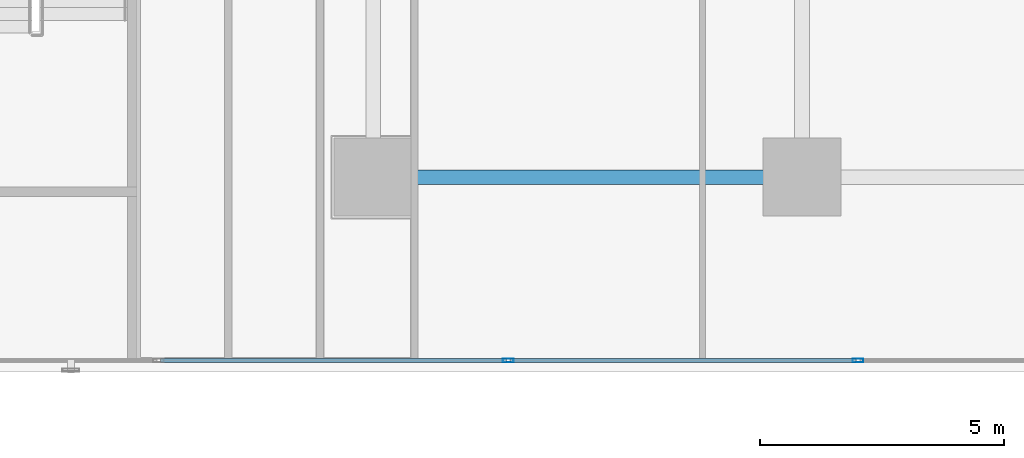
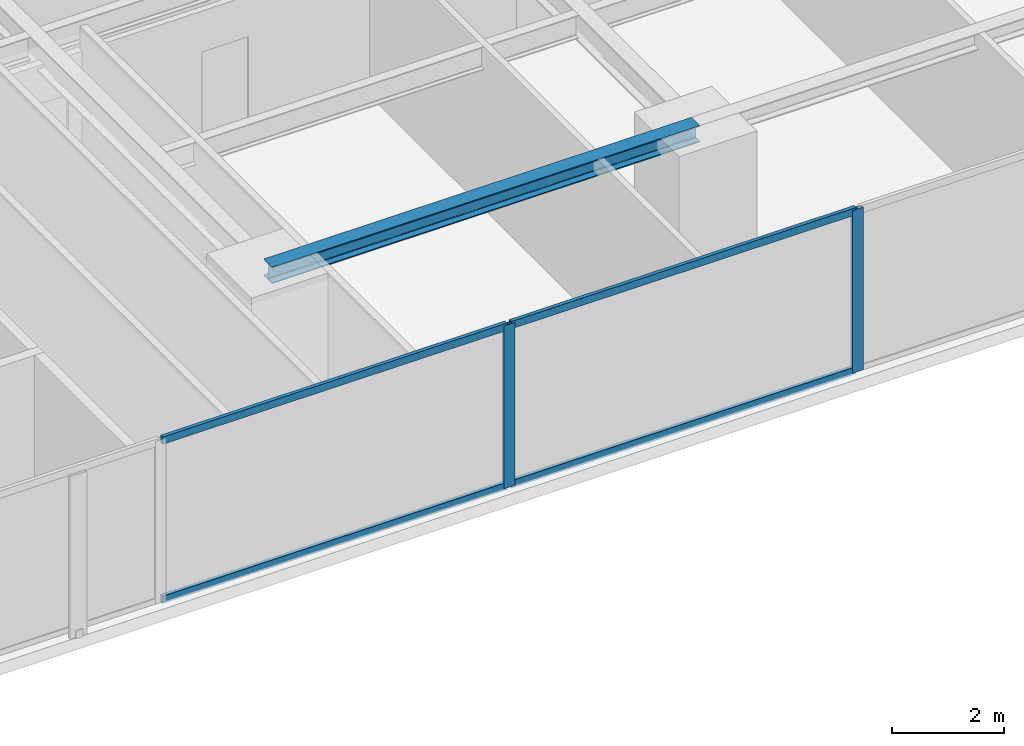
# One storey, part 9 of 28: 6 members, 1 beam, 1 element without a shape of its own.
"""IFC4 building model written with IfcOpenShell, lengths in metres."""

from ifc_helpers import new_model, si_unit, direction, frame, origin, origin_with_axes, origin_2d, place, context, subcontext, project, spatial, hollow_rectangle, i_section, extrude, source, transform, mapped, material, layer, layer_set, material_profile, profile_set, type_object, element, aggregate, save


model = new_model("IFC4")

# Units and contexts
model_context = context("Model", 3, precision=1e-05, world=origin(), true_north=direction((0.0, 1.0)))
body_context = subcontext(model_context, "Body", "Model", "MODEL_VIEW")
ifc_project = project(units=[si_unit("LENGTHUNIT", "METRE"), si_unit("AREAUNIT", "SQUARE_METRE"), si_unit("VOLUMEUNIT", "CUBIC_METRE"), si_unit("PLANEANGLEUNIT", "RADIAN"), si_unit("MASSUNIT", "GRAM", prefix="KILO")], contexts=[model_context])

# Site, building, storey
site_placement = place(None, origin())
site = spatial("IfcSite", under=ifc_project, at=site_placement, CompositionType="ELEMENT")
building_placement = place(site_placement, origin())
building = spatial("IfcBuilding", under=site, at=building_placement, Name="Kolvaren Waterfront Exchange", CompositionType="ELEMENT")
storey_placement = place(building_placement, frame((0.0, 0.0, 75.199951171875)))
storey = spatial("IfcBuildingStorey", under=building, at=storey_placement, Name="L19", CompositionType="ELEMENT", Elevation=75.199951171875)

# Beam
ifc_material_1 = material(Name="Steel S355", Category="steel")
ifc_material_profile_1 = material_profile(ifc_material_1, i_section(OverallWidth=0.300048828125, OverallDepth=0.360107421875, WebThickness=0.012451171875, FlangeThickness=0.0224609375, FilletRadius=0.027099609375, at=origin_2d()), Name="HEB360")
ifc_profile_set_1 = profile_set([ifc_material_profile_1], Name="Steel S355")
beam_type = type_object("IfcBeamType", Name="STR-BM-HEB360", PredefinedType="SPANDREL", material=ifc_profile_set_1)
beam_placement = place(storey_placement, frame((36.800048828125, 5.199951171875, 3.360107421875), z_axis=(1.0, 0.0, 0.0), x_axis=(0.0, 1.0, 0.0)))
element("IfcBeam", 1, at=beam_placement, inside=storey, type_object=beam_type, Name="L19 east-arm spandrel S3", PredefinedType="SPANDREL", context=body_context, shape_type="SweptSolid", body=[
    extrude(i_section(OverallWidth=0.300048828125, OverallDepth=0.360107421875, WebThickness=0.012451171875, FlangeThickness=0.0224609375, FilletRadius=0.027099609375, at=origin_2d()), origin(), (0.0, 0.0, 1.0), 8.800048828125),
])

# Curtain wall, members
ifc_material_2 = material(Name="Anodised bronze aluminium 6063-T6", Category="aluminium")
ifc_layer = layer(ifc_material_2, 0.219970703125, Name="Anodised bronze aluminium 6063-T6")
ifc_layer_set = layer_set([ifc_layer], Name="Anodised bronze aluminium 6063-T6")
curtain_wall_type = type_object("IfcCurtainWallType", Name="ARC-CW-SYS1", PredefinedType="USERDEFINED", material=ifc_layer_set)
curtain_wall_placement = place(storey_placement, origin())
curtain_wall = element("IfcCurtainWall", 2, at=curtain_wall_placement, inside=storey, type_object=curtain_wall_type, Name="L19 stick curtain wall CW1 (CW-L19-S)", ObjectType="STICK CURTAIN WALL", PredefinedType="USERDEFINED")
ifc_material_3 = material(Name="Anodised aluminium 6063-T6", Category="aluminium")
ifc_material_profile_2 = material_profile(ifc_material_3, hollow_rectangle(XDim=0.074951171875, YDim=0.159912109375, WallThickness=0.00439453125, at=origin_2d()), Name="ALU-TRN-160x75x4.5")
ifc_profile_set_2 = profile_set([ifc_material_profile_2], Name="Anodised aluminium 6063-T6")
member_type_1 = type_object("IfcMemberType", Name="ARC-CWT-160", PredefinedType="USERDEFINED", material=ifc_profile_set_2)
shared_shape_1 = source(origin_with_axes(), body_context, "Body", "SweptSolid", [
    extrude(hollow_rectangle(XDim=0.074951171875, YDim=0.159912109375, WallThickness=0.00439453125, at=origin_2d()), origin(), (0.0, 0.0, 1.0), 7.094970703125),
])
member_1_placement = place(storey_placement, frame((32.43994140625, 1.43994140625, 0.03759765625), z_axis=(1.0, 0.0, 0.0), x_axis=(0.0, 1.0, 0.0)))
member_1 = element("IfcMember", 3, at=member_1_placement, type_object=member_type_1, Name="CW1 transom 5.1", ObjectType="TRANSOM", PredefinedType="USERDEFINED", context=body_context, shape_type="MappedRepresentation", body=[
    mapped(shared_shape_1, transform((0.0, 0.0, 0.0), x_axis=(1.0, 0.0, 0.0), y_axis=(0.0, 1.0, 0.0), z_axis=(0.0, 0.0, 1.0), scale=1.0)),
])
member_2_placement = place(storey_placement, frame((32.43994140625, 1.43994140625, 3.50244140625), z_axis=(1.0, 0.0, 0.0), x_axis=(0.0, 1.0, 0.0)))
member_2 = element("IfcMember", 4, at=member_2_placement, type_object=member_type_1, Name="CW1 transom 5.2", ObjectType="TRANSOM", PredefinedType="USERDEFINED", context=body_context, shape_type="MappedRepresentation", body=[
    mapped(shared_shape_1, transform((0.0, 0.0, 0.0), x_axis=(1.0, 0.0, 0.0), y_axis=(0.0, 1.0, 0.0), z_axis=(0.0, 0.0, 1.0), scale=1.0)),
])
member_3_placement = place(storey_placement, frame((39.614990234375, 1.43994140625, 0.03759765625), z_axis=(1.0, 0.0, 0.0), x_axis=(0.0, 1.0, 0.0)))
member_3 = element("IfcMember", 5, at=member_3_placement, type_object=member_type_1, Name="CW1 transom 6.1", ObjectType="TRANSOM", PredefinedType="USERDEFINED", context=body_context, shape_type="MappedRepresentation", body=[
    mapped(shared_shape_1, transform((0.0, 0.0, 0.0), x_axis=(1.0, 0.0, 0.0), y_axis=(0.0, 1.0, 0.0), z_axis=(0.0, 0.0, 1.0), scale=1.0)),
])
member_4_placement = place(storey_placement, frame((39.614990234375, 1.43994140625, 3.50244140625), z_axis=(1.0, 0.0, 0.0), x_axis=(0.0, 1.0, 0.0)))
member_4 = element("IfcMember", 6, at=member_4_placement, type_object=member_type_1, Name="CW1 transom 6.2", ObjectType="TRANSOM", PredefinedType="USERDEFINED", context=body_context, shape_type="MappedRepresentation", body=[
    mapped(shared_shape_1, transform((0.0, 0.0, 0.0), x_axis=(1.0, 0.0, 0.0), y_axis=(0.0, 1.0, 0.0), z_axis=(0.0, 0.0, 1.0), scale=1.0)),
])
ifc_material_profile_3 = material_profile(ifc_material_3, hollow_rectangle(XDim=0.080078125, YDim=0.219970703125, WallThickness=0.0048828125, at=origin_2d()), Name="ALU-MUL-220x80x5")
ifc_profile_set_3 = profile_set([ifc_material_profile_3], Name="Anodised aluminium 6063-T6")
member_type_2 = type_object("IfcMemberType", Name="ARC-CWM-220", PredefinedType="MULLION", material=ifc_profile_set_3)
shared_shape_2 = source(origin_with_axes(), body_context, "Body", "SweptSolid", [
    extrude(hollow_rectangle(XDim=0.080078125, YDim=0.219970703125, WallThickness=0.0048828125, at=origin_2d()), origin(), (0.0, 0.0, 1.0), 3.5400390625),
])
member_5_placement = place(storey_placement, frame((39.574951171875, 1.43994140625, 0.0), z_axis=(0.0, 0.0, 1.0), x_axis=(0.0, 1.0, 0.0)))
member_5 = element("IfcMember", 7, at=member_5_placement, type_object=member_type_2, Name="CW1 mullion 6", PredefinedType="MULLION", context=body_context, shape_type="MappedRepresentation", body=[
    mapped(shared_shape_2, transform((0.0, 0.0, 0.0), x_axis=(1.0, 0.0, 0.0), y_axis=(0.0, 1.0, 0.0), z_axis=(0.0, 0.0, 1.0), scale=1.0)),
])
member_6_placement = place(storey_placement, frame((46.75, 1.43994140625, 0.0), z_axis=(0.0, 0.0, 1.0), x_axis=(0.0, 1.0, 0.0)))
member_6 = element("IfcMember", 8, at=member_6_placement, type_object=member_type_2, Name="CW1 mullion 7", PredefinedType="MULLION", context=body_context, shape_type="MappedRepresentation", body=[
    mapped(shared_shape_2, transform((0.0, 0.0, 0.0), x_axis=(1.0, 0.0, 0.0), y_axis=(0.0, 1.0, 0.0), z_axis=(0.0, 0.0, 1.0), scale=1.0)),
])
aggregate(curtain_wall, [member_5, member_6, member_1, member_2, member_3, member_4])

save(model, "model.ifc")
